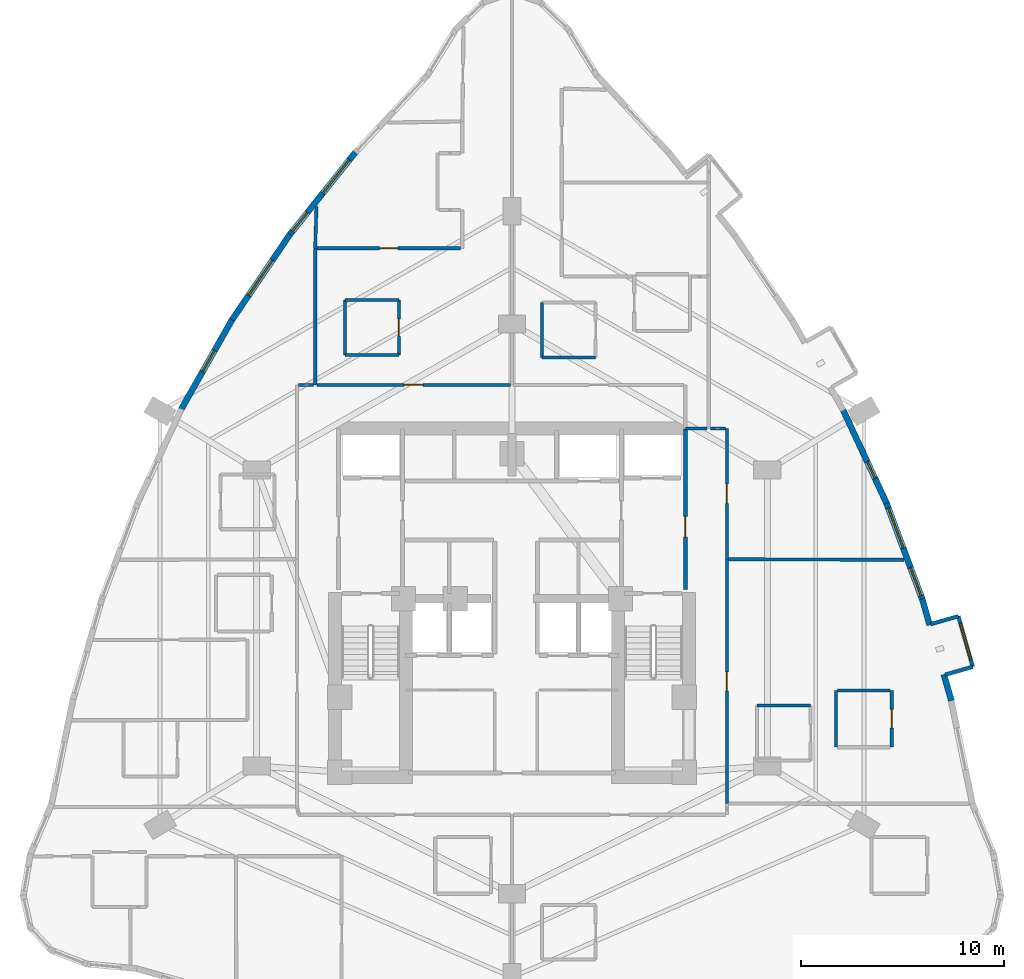
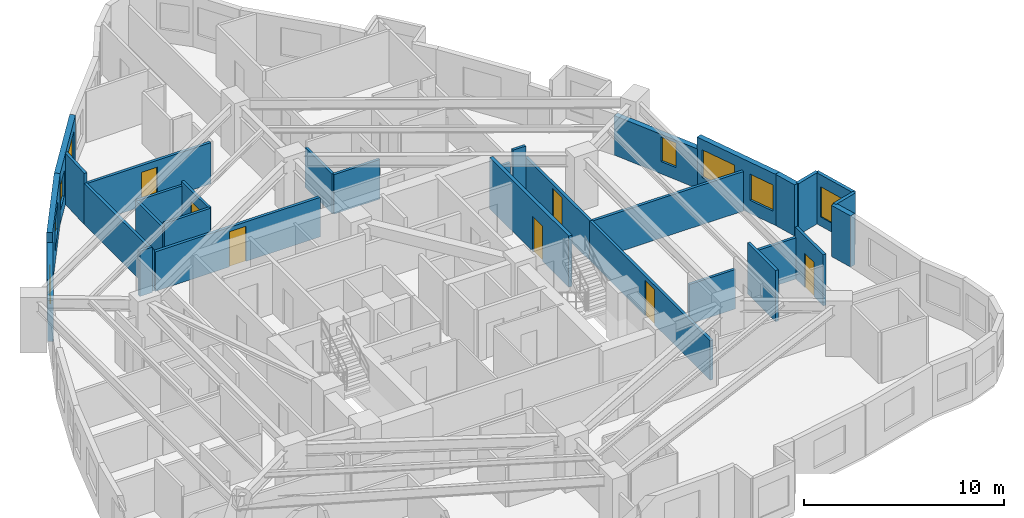
# One storey, part 11 of 14: 31 walls, 8 windows, 7 doors, 15 openings.
"""IFC4 building model written with IfcOpenShell, lengths in metres."""

from ifc_helpers import new_model, si_unit, direction, frame, frame_2d, origin, place, context, subcontext, project, spatial, rectangle, extrude, material, layer, layer_set, type_object, element, fill, save


model = new_model("IFC4")

# Units and contexts
model_context = context("Model", 3, precision=1e-05, world=origin(), true_north=direction((0.0, 1.0)))
body_context = subcontext(model_context, "Body", "Model", "MODEL_VIEW")
ifc_project = project(units=[si_unit("LENGTHUNIT", "METRE"), si_unit("AREAUNIT", "SQUARE_METRE"), si_unit("VOLUMEUNIT", "CUBIC_METRE"), si_unit("PLANEANGLEUNIT", "RADIAN"), si_unit("MASSUNIT", "GRAM", prefix="KILO")], contexts=[model_context])

# Site, building, storey
site_placement = place(None, origin())
site = spatial("IfcSite", under=ifc_project, at=site_placement, CompositionType="ELEMENT")
building_placement = place(site_placement, origin())
building = spatial("IfcBuilding", under=site, at=building_placement, Name="Miruveldt Soraemaru", CompositionType="ELEMENT")
storey_placement = place(building_placement, frame((0.0, 0.0, 80.199951171875)))
storey = spatial("IfcBuildingStorey", under=building, at=storey_placement, Name="L22", CompositionType="ELEMENT", Elevation=80.199951171875)

# Walls
ifc_material_1 = material(Name="White powder-coated aluminium EN AW-6060 T6", Category="aluminium")
ifc_layer_1 = layer(ifc_material_1, 0.18994140625, Name="White powder-coated aluminium EN AW-6060 T6", Category="aluminium")
ifc_layer_set_1 = layer_set([ifc_layer_1], Name="White powder-coated aluminium EN AW-6060 T6")
wall_type_1 = type_object("IfcWallType", Name="WALL-BAY-ALU190", PredefinedType="SOLIDWALL", material=ifc_layer_set_1)
for number, where, z_axis, x_axis, name in (
    (1, (65.36474609375, 40.301025390625, 0.0), (0.0, 0.0, 1.0), (0.961452801096, 0.274970018845, 0.0), "L22 Bay Window Side Cheek 4L"),
    (2, (66.02001953125, 43.192626953125, 0.0), (0.0, 0.0, 1.0), (-0.961452801096, -0.274970018845, 0.0), "L22 Bay Window Side Cheek 4R"),
):
    element("IfcWall", number, at=place(storey_placement, frame(where, z_axis=z_axis, x_axis=x_axis)), inside=storey, type_object=wall_type_1, Name=name, PredefinedType="SOLIDWALL", context=body_context, shape_type="SweptSolid", body=[
        extrude(rectangle(XDim=1.425048828125, YDim=0.18994140625, at=frame_2d((0.71240234375, 0.0))), origin(), (0.0, 0.0, 1.0), 3.125),
    ])

# Wall, opening, window
wall_1_placement = place(storey_placement, frame((66.73486328125, 40.69287109375, 0.0), z_axis=(0.0, 0.0, 1.0), x_axis=(-0.274944358644, 0.961460139397, 0.0)))
wall_1 = element("IfcWall", 3, at=wall_1_placement, inside=storey, type_object=wall_type_1, Name="L22 Bay Window Front Frame 4", PredefinedType="SOLIDWALL", context=body_context, shape_type="SweptSolid", body=[
    extrude(rectangle(XDim=2.599853515625, YDim=0.18994140625, at=frame_2d((1.2998046875, 0.0))), origin(), (0.0, 0.0, 1.0), 3.125),
])
opening_1_placement = place(wall_1_placement, frame((0.35009765625, 0.0, 0.550048828125)))
opening_1 = element("IfcOpeningElement", 4, at=opening_1_placement, cuts=wall_1, Name="Opening WN-6", PredefinedType="OPENING", context=body_context, shape_type="SweptSolid", body=[
    extrude(rectangle(XDim=1.89990234375, YDim=1.85009765625, at=frame_2d((0.949951171875, 0.925048828125))), frame((0.0, 0.10498046875, 0.0), z_axis=(0.0, -1.0, 0.0), x_axis=(1.0, 0.0, 0.0)), (0.0, 0.0, 1.0), 0.2099609375),
])
ifc_material_2 = material(Name="Triple low-e insulated glazing", Category="glass")
window_type_1 = type_object("IfcWindowType", Name="WIN-BAYW-1900x1850", PartitioningType="SINGLE_PANEL", PredefinedType="WINDOW", material=ifc_material_2)
window_1_placement = place(opening_1_placement, origin())
window_1 = element("IfcWindow", 5, at=window_1_placement, inside=storey, type_object=window_type_1, Name="L22 Projecting Bay Window 4", OverallHeight=1.85009765625, OverallWidth=1.89990234375, PartitioningType="SINGLE_PANEL", PredefinedType="WINDOW", context=body_context, shape_type="SweptSolid", body=[
    extrude(rectangle(XDim=1.89990234375, YDim=1.85009765625, at=frame_2d((0.949951171875, 0.925048828125))), frame((0.0, 0.030029296875, 0.0), z_axis=(0.0, -1.0, 0.0), x_axis=(1.0, 0.0, 0.0)), (0.0, 0.0, 1.0), 0.06005859375),
])
fill(opening_1, window_1)

# Wall, openings, windows
ifc_material_3 = material(Name="Precast concrete C45/55 (45 MPa)", Category="concrete")
ifc_layer_2 = layer(ifc_material_3, 0.300048828125, Name="Precast concrete C45/55 (45 MPa)", Category="concrete")
ifc_layer_set_2 = layer_set([ifc_layer_2], Name="Precast concrete C45/55 (45 MPa)")
wall_type_2 = type_object("IfcWallType", Name="WALL-EXT-PC300", PredefinedType="SOLIDWALL", material=ifc_layer_set_2)
wall_2_placement = place(storey_placement, frame((36.266845703125, 66.064697265625, 0.0), z_axis=(0.0, 0.0, 1.0), x_axis=(-0.623612732092, -0.781733433065, 0.0)))
wall_2 = element("IfcWall", 6, at=wall_2_placement, inside=storey, type_object=wall_type_2, Name="L22 Precast Concrete Facade Wall 8", PredefinedType="SOLIDWALL", context=body_context, shape_type="SweptSolid", body=[
    extrude(rectangle(XDim=5.2294921875, YDim=0.300048828125, at=frame_2d((2.61474609375, 0.0))), origin(), (0.0, 0.0, 1.0), 3.125),
])
opening_2_placement = place(wall_2_placement, frame((0.466064453125, 0.0, 0.800048828125)))
opening_2 = element("IfcOpeningElement", 7, at=opening_2_placement, cuts=wall_2, Name="Opening WN-1", PredefinedType="OPENING", context=body_context, shape_type="SweptSolid", body=[
    extrude(rectangle(XDim=2.10009765625, YDim=1.699951171875, at=frame_2d((1.050048828125, 0.85009765625))), frame((0.0, 0.16015625, 0.0), z_axis=(0.0, -1.0, 0.0), x_axis=(1.0, 0.0, 0.0)), (0.0, 0.0, 1.0), 0.320068359375),
])
opening_3_placement = place(wall_2_placement, frame((3.77001953125, 0.0, 0.780029296875)))
opening_3 = element("IfcOpeningElement", 8, at=opening_3_placement, cuts=wall_2, Name="Opening WN-4", PredefinedType="OPENING", context=body_context, shape_type="SweptSolid", body=[
    extrude(rectangle(XDim=1.199951171875, YDim=1.550048828125, at=frame_2d((0.60009765625, 0.77490234375))), frame((0.0, 0.16015625, 0.0), z_axis=(0.0, -1.0, 0.0), x_axis=(1.0, 0.0, 0.0)), (0.0, 0.0, 1.0), 0.320068359375),
])
window_type_2 = type_object("IfcWindowType", Name="WIN-PUNCH-1200x1550", PartitioningType="SINGLE_PANEL", PredefinedType="WINDOW", material=ifc_material_2)
window_2_placement = place(opening_3_placement, origin())
window_2 = element("IfcWindow", 9, at=window_2_placement, inside=storey, type_object=window_type_2, Name="L22 Punched Triple-Glazed Window 08.2", OverallHeight=1.550048828125, OverallWidth=1.199951171875, PartitioningType="SINGLE_PANEL", PredefinedType="WINDOW", context=body_context, shape_type="SweptSolid", body=[
    extrude(rectangle(XDim=1.199951171875, YDim=1.550048828125, at=frame_2d((0.60009765625, 0.77490234375))), frame((0.0, 0.030029296875, 0.0), z_axis=(0.0, -1.0, 0.0), x_axis=(1.0, 0.0, 0.0)), (0.0, 0.0, 1.0), 0.06005859375),
])
fill(opening_3, window_2)
window_type_3 = type_object("IfcWindowType", Name="WIN-PUNCH-2100x1700", PartitioningType="SINGLE_PANEL", PredefinedType="WINDOW", material=ifc_material_2)
window_3_placement = place(opening_2_placement, origin())
window_3 = element("IfcWindow", 10, at=window_3_placement, inside=storey, type_object=window_type_3, Name="L22 Punched Triple-Glazed Window 08.1", OverallHeight=1.699951171875, OverallWidth=2.10009765625, PartitioningType="SINGLE_PANEL", PredefinedType="WINDOW", context=body_context, shape_type="SweptSolid", body=[
    extrude(rectangle(XDim=2.10009765625, YDim=1.699951171875, at=frame_2d((1.050048828125, 0.85009765625))), frame((0.0, 0.030029296875, 0.0), z_axis=(0.0, -1.0, 0.0), x_axis=(1.0, 0.0, 0.0)), (0.0, 0.0, 1.0), 0.06005859375),
])
fill(opening_2, window_3)

# Wall, opening, window
wall_3_placement = place(storey_placement, frame((33.047119140625, 62.032958984375, 0.0), z_axis=(0.0, 0.0, 1.0), x_axis=(-0.560814703754, -0.827941343365, 0.0)))
wall_3 = element("IfcWall", 11, at=wall_3_placement, inside=storey, type_object=wall_type_2, Name="L22 Precast Concrete Facade Wall 9", PredefinedType="SOLIDWALL", context=body_context, shape_type="SweptSolid", body=[
    extrude(rectangle(XDim=5.165771484375, YDim=0.300048828125, at=frame_2d((2.5830078125, 0.0))), origin(), (0.0, 0.0, 1.0), 3.125),
])
opening_4_placement = place(wall_3_placement, frame((1.532958984375, 0.0, 0.800048828125)))
opening_4 = element("IfcOpeningElement", 12, at=opening_4_placement, cuts=wall_3, Name="Opening WN-1", PredefinedType="OPENING", context=body_context, shape_type="SweptSolid", body=[
    extrude(rectangle(XDim=2.10009765625, YDim=1.699951171875, at=frame_2d((1.050048828125, 0.85009765625))), frame((0.0, 0.16015625, 0.0), z_axis=(0.0, -1.0, 0.0), x_axis=(1.0, 0.0, 0.0)), (0.0, 0.0, 1.0), 0.320068359375),
])
window_4_placement = place(opening_4_placement, origin())
window_4 = element("IfcWindow", 13, at=window_4_placement, inside=storey, type_object=window_type_3, Name="L22 Punched Triple-Glazed Window 09.1", OverallHeight=1.699951171875, OverallWidth=2.10009765625, PartitioningType="SINGLE_PANEL", PredefinedType="WINDOW", context=body_context, shape_type="SweptSolid", body=[
    extrude(rectangle(XDim=2.10009765625, YDim=1.699951171875, at=frame_2d((1.050048828125, 0.85009765625))), frame((0.0, 0.030029296875, 0.0), z_axis=(0.0, -1.0, 0.0), x_axis=(1.0, 0.0, 0.0)), (0.0, 0.0, 1.0), 0.06005859375),
])
fill(opening_4, window_4)

wall_4_placement = place(storey_placement, frame((30.18701171875, 57.815673828125, 0.0), z_axis=(0.0, 0.0, 1.0), x_axis=(-0.493380922918, -0.869813350611, 0.0)))
wall_4 = element("IfcWall", 14, at=wall_4_placement, inside=storey, type_object=wall_type_2, Name="L22 Precast Concrete Facade Wall 10", PredefinedType="SOLIDWALL", context=body_context, shape_type="SweptSolid", body=[
    extrude(rectangle(XDim=5.13330078125, YDim=0.300048828125, at=frame_2d((2.566650390625, 0.0))), origin(), (0.0, 0.0, 1.0), 2.512939453125),
])
opening_5_placement = place(wall_4_placement, frame((1.7529296875, 0.0, 0.780029296875)))
opening_5 = element("IfcOpeningElement", 15, at=opening_5_placement, cuts=wall_4, Name="Opening WN-4", PredefinedType="OPENING", context=body_context, shape_type="SweptSolid", body=[
    extrude(rectangle(XDim=1.199951171875, YDim=1.550048828125, at=frame_2d((0.60009765625, 0.77490234375))), frame((0.0, 0.16015625, 0.0), z_axis=(0.0, -1.0, 0.0), x_axis=(1.0, 0.0, 0.0)), (0.0, 0.0, 1.0), 0.320068359375),
])
window_5_placement = place(opening_5_placement, origin())
window_5 = element("IfcWindow", 16, at=window_5_placement, inside=storey, type_object=window_type_2, Name="L22 Punched Triple-Glazed Window 10.1", OverallHeight=1.550048828125, OverallWidth=1.199951171875, PartitioningType="SINGLE_PANEL", PredefinedType="WINDOW", context=body_context, shape_type="SweptSolid", body=[
    extrude(rectangle(XDim=1.199951171875, YDim=1.550048828125, at=frame_2d((0.60009765625, 0.77490234375))), frame((0.0, 0.030029296875, 0.0), z_axis=(0.0, -1.0, 0.0), x_axis=(1.0, 0.0, 0.0)), (0.0, 0.0, 1.0), 0.06005859375),
])
fill(opening_5, window_5)

# Walls
for number, where, z_axis, x_axis, name in (
    (17, (65.67333984375, 39.021728515625, 0.0), (0.0, 0.0, 1.0), (-0.27486499374, 0.961482831472, 0.0), "L22 Precast Pier Wall 36A"),
    (18, (64.605224609375, 42.7568359375, 0.0), (0.0, 0.0, 1.0), (-0.27486499374, 0.961482831472, 0.0), "L22 Precast Pier Wall 36B"),
):
    element("IfcWall", number, at=place(storey_placement, frame(where, z_axis=z_axis, x_axis=x_axis)), inside=storey, type_object=wall_type_2, Name=name, PredefinedType="SOLIDWALL", context=body_context, shape_type="SweptSolid", body=[
        extrude(rectangle(XDim=1.3447265625, YDim=0.300048828125, at=frame_2d((0.67236328125, 0.0))), origin(), (0.0, 0.0, 1.0), 3.125),
    ])

# Wall, openings, windows
wall_5_placement = place(storey_placement, frame((64.25732421875, 43.9833984375, 0.0), z_axis=(0.0, 0.0, 1.0), x_axis=(-0.349030087006, 0.937111518638, 0.0)))
wall_5 = element("IfcWall", 19, at=wall_5_placement, inside=storey, type_object=wall_type_2, Name="L22 Precast Concrete Facade Wall 37", PredefinedType="SOLIDWALL", context=body_context, shape_type="SweptSolid", body=[
    extrude(rectangle(XDim=5.165771484375, YDim=0.300048828125, at=frame_2d((2.5830078125, 0.0))), origin(), (0.0, 0.0, 1.0), 3.125),
])
opening_6_placement = place(wall_5_placement, frame((0.220947265625, 0.0, 0.800048828125)))
opening_6 = element("IfcOpeningElement", 20, at=opening_6_placement, cuts=wall_5, Name="Opening WN-3", PredefinedType="OPENING", context=body_context, shape_type="SweptSolid", body=[
    extrude(rectangle(XDim=1.5, YDim=1.60009765625, at=frame_2d((0.75, 0.800048828125))), frame((0.0, 0.16015625, 0.0), z_axis=(0.0, -1.0, 0.0), x_axis=(1.0, 0.0, 0.0)), (0.0, 0.0, 1.0), 0.320068359375),
])
opening_7_placement = place(wall_5_placement, frame((2.743896484375, 0.0, 0.800048828125)))
opening_7 = element("IfcOpeningElement", 21, at=opening_7_placement, cuts=wall_5, Name="Opening WN-1", PredefinedType="OPENING", context=body_context, shape_type="SweptSolid", body=[
    extrude(rectangle(XDim=2.10009765625, YDim=1.699951171875, at=frame_2d((1.050048828125, 0.85009765625))), frame((0.0, 0.16015625, 0.0), z_axis=(0.0, -1.0, 0.0), x_axis=(1.0, 0.0, 0.0)), (0.0, 0.0, 1.0), 0.320068359375),
])
window_type_4 = type_object("IfcWindowType", Name="WIN-PUNCH-1500x1600", PartitioningType="SINGLE_PANEL", PredefinedType="WINDOW", material=ifc_material_2)
window_6_placement = place(opening_6_placement, origin())
window_6 = element("IfcWindow", 22, at=window_6_placement, inside=storey, type_object=window_type_4, Name="L22 Punched Triple-Glazed Window 37.1", OverallHeight=1.60009765625, OverallWidth=1.5, PartitioningType="SINGLE_PANEL", PredefinedType="WINDOW", context=body_context, shape_type="SweptSolid", body=[
    extrude(rectangle(XDim=1.5, YDim=1.60009765625, at=frame_2d((0.75, 0.800048828125))), frame((0.0, 0.030029296875, 0.0), z_axis=(0.0, -1.0, 0.0), x_axis=(1.0, 0.0, 0.0)), (0.0, 0.0, 1.0), 0.06005859375),
])
fill(opening_6, window_6)
window_7_placement = place(opening_7_placement, origin())
window_7 = element("IfcWindow", 23, at=window_7_placement, inside=storey, type_object=window_type_3, Name="L22 Punched Triple-Glazed Window 37.2", OverallHeight=1.699951171875, OverallWidth=2.10009765625, PartitioningType="SINGLE_PANEL", PredefinedType="WINDOW", context=body_context, shape_type="SweptSolid", body=[
    extrude(rectangle(XDim=2.10009765625, YDim=1.699951171875, at=frame_2d((1.050048828125, 0.85009765625))), frame((0.0, 0.030029296875, 0.0), z_axis=(0.0, -1.0, 0.0), x_axis=(1.0, 0.0, 0.0)), (0.0, 0.0, 1.0), 0.06005859375),
])
fill(opening_7, window_7)

# Wall, opening, window
wall_6_placement = place(storey_placement, frame((62.4814453125, 48.759521484375, 0.0), z_axis=(0.0, 0.0, 1.0), x_axis=(-0.422330811378, 0.906441771853, 0.0)))
wall_6 = element("IfcWall", 24, at=wall_6_placement, inside=storey, type_object=wall_type_2, Name="L22 Precast Concrete Facade Wall 38", PredefinedType="SOLIDWALL", context=body_context, shape_type="SweptSolid", body=[
    extrude(rectangle(XDim=5.13330078125, YDim=0.300048828125, at=frame_2d((2.566650390625, 0.0))), origin(), (0.0, 0.0, 1.0), 2.4130859375),
])
opening_8_placement = place(wall_6_placement, frame((1.361083984375, 0.0, 0.7529296875)))
opening_8 = element("IfcOpeningElement", 25, at=opening_8_placement, cuts=wall_6, Name="Opening WN-7", PredefinedType="OPENING", context=body_context, shape_type="SweptSolid", body=[
    extrude(rectangle(XDim=0.89990234375, YDim=1.5, at=frame_2d((0.449951171875, 0.75))), frame((0.0, 0.16015625, 0.0), z_axis=(0.0, -1.0, 0.0), x_axis=(1.0, 0.0, 0.0)), (0.0, 0.0, 1.0), 0.320068359375),
])
window_type_5 = type_object("IfcWindowType", Name="WIN-PUNCH-900x1500", PartitioningType="SINGLE_PANEL", PredefinedType="WINDOW", material=ifc_material_2)
window_8_placement = place(opening_8_placement, origin())
window_8 = element("IfcWindow", 26, at=window_8_placement, inside=storey, type_object=window_type_5, Name="L22 Punched Triple-Glazed Window 38.1", OverallHeight=1.5, OverallWidth=0.89990234375, PartitioningType="SINGLE_PANEL", PredefinedType="WINDOW", context=body_context, shape_type="SweptSolid", body=[
    extrude(rectangle(XDim=0.89990234375, YDim=1.5, at=frame_2d((0.449951171875, 0.75))), frame((0.0, 0.030029296875, 0.0), z_axis=(0.0, -1.0, 0.0), x_axis=(1.0, 0.0, 0.0)), (0.0, 0.0, 1.0), 0.06005859375),
])
fill(opening_8, window_8)

# Wall, opening, door
ifc_material_4 = material(Name="Gypsum plasterboard lining", Category="gypsum")
ifc_layer_3 = layer(ifc_material_4, 0.14990234375, Name="Gypsum plasterboard lining", Category="gypsum")
ifc_layer_set_3 = layer_set([ifc_layer_3], Name="Gypsum plasterboard lining")
wall_type_3 = type_object("IfcWallType", Name="WALL-INT-PLUMB", PredefinedType="PLUMBINGWALL", material=ifc_layer_set_3)
wall_7_placement = place(storey_placement, frame((38.419921875, 56.080078125, 0.0), z_axis=(0.0, 0.0, 1.0), x_axis=(0.0, 1.0, 0.0)))
wall_7 = element("IfcWall", 27, at=wall_7_placement, inside=storey, type_object=wall_type_3, Name="L22 Partition Wall 21", PredefinedType="PLUMBINGWALL", context=body_context, shape_type="SweptSolid", body=[
    extrude(rectangle(XDim=2.699951171875, YDim=0.14990234375, at=frame_2d((1.35009765625, 0.0))), origin(), (0.0, 0.0, 1.0), 2.762939453125),
])
opening_9_placement = place(wall_7_placement, frame((0.909912109375, 0.0, 0.0)))
opening_9 = element("IfcOpeningElement", 28, at=opening_9_placement, cuts=wall_7, Name="Opening FD3", PredefinedType="OPENING", context=body_context, shape_type="SweptSolid", body=[
    extrude(rectangle(XDim=0.85009765625, YDim=2.10009765625, at=frame_2d((0.425048828125, 1.050048828125))), frame((0.0, 0.0849609375, 0.0), z_axis=(0.0, -1.0, 0.0), x_axis=(1.0, 0.0, 0.0)), (0.0, 0.0, 1.0), 0.169921875),
])
ifc_material_5 = material(Name="Anodised aluminium EN AW-6063 T6", Category="aluminium")
door_type_1 = type_object("IfcDoorType", Name="DOOR-FD3-850", OperationType="NOTDEFINED", PredefinedType="DOOR", material=ifc_material_5)
door_1_placement = place(opening_9_placement, origin())
door_1 = element("IfcDoor", 29, at=door_1_placement, inside=storey, type_object=door_type_1, Name="L22 Unit 2202 BTH Door", OperationType="SINGLE_SWING_LEFT", OverallHeight=2.10009765625, OverallWidth=0.85009765625, PredefinedType="DOOR", context=body_context, shape_type="SweptSolid", body=[
    extrude(rectangle(XDim=0.85009765625, YDim=2.10009765625, at=frame_2d((0.425048828125, 1.050048828125))), frame((0.0, 0.02490234375, 0.0), z_axis=(0.0, -1.0, 0.0), x_axis=(1.0, 0.0, 0.0)), (0.0, 0.0, 1.0), 0.050048828125),
])
fill(opening_9, door_1)

# Walls
wall_8_placement = place(storey_placement, frame((35.77001953125, 58.780029296875, 0.0), z_axis=(0.0, 0.0, 1.0), x_axis=(0.0, -1.0, 0.0)))
element("IfcWall", 30, at=wall_8_placement, inside=storey, type_object=wall_type_3, Name="L22 Partition Wall 23", PredefinedType="PLUMBINGWALL", context=body_context, shape_type="SweptSolid", body=[
    extrude(rectangle(XDim=2.699951171875, YDim=0.14990234375, at=frame_2d((1.35009765625, 0.0))), origin(), (0.0, 0.0, 1.0), 2.512939453125),
])
wall_9_placement = place(storey_placement, frame((45.47998046875, 58.656982421875, 0.0), z_axis=(0.0, 0.0, 1.0), x_axis=(0.0, -1.0, 0.0)))
element("IfcWall", 31, at=wall_9_placement, inside=storey, type_object=wall_type_3, Name="L22 Partition Wall 36", PredefinedType="PLUMBINGWALL", context=body_context, shape_type="SweptSolid", body=[
    extrude(rectangle(XDim=2.699951171875, YDim=0.14990234375, at=frame_2d((1.35009765625, 0.0))), origin(), (0.0, 0.0, 1.0), 2.4130859375),
])
wall_10_placement = place(storey_placement, frame((45.47998046875, 55.95703125, 0.0), z_axis=(0.0, 0.0, 1.0), x_axis=(1.0, 0.0, 0.0)))
element("IfcWall", 32, at=wall_10_placement, inside=storey, type_object=wall_type_3, Name="L22 Partition Wall 37", PredefinedType="PLUMBINGWALL", context=body_context, shape_type="SweptSolid", body=[
    extrude(rectangle(XDim=2.64990234375, YDim=0.14990234375, at=frame_2d((1.324951171875, 0.0))), origin(), (0.0, 0.0, 1.0), 2.4130859375),
])
wall_11_placement = place(storey_placement, frame((38.419921875, 58.780029296875, 0.0), z_axis=(0.0, 0.0, 1.0), x_axis=(-1.0, 0.0, 0.0)))
element("IfcWall", 33, at=wall_11_placement, inside=storey, type_object=wall_type_3, Name="L22 Partition Wall 22", PredefinedType="PLUMBINGWALL", context=body_context, shape_type="SweptSolid", body=[
    extrude(rectangle(XDim=2.64990234375, YDim=0.14990234375, at=frame_2d((1.324951171875, 0.0))), origin(), (0.0, 0.0, 1.0), 2.512939453125),
])
wall_12_placement = place(storey_placement, frame((35.77001953125, 56.080078125, 0.0), z_axis=(0.0, 0.0, 1.0), x_axis=(1.0, 0.0, 0.0)))
element("IfcWall", 34, at=wall_12_placement, inside=storey, type_object=wall_type_3, Name="L22 Partition Wall 24", PredefinedType="PLUMBINGWALL", context=body_context, shape_type="SweptSolid", body=[
    extrude(rectangle(XDim=2.64990234375, YDim=0.14990234375, at=frame_2d((1.324951171875, 0.0))), origin(), (0.0, 0.0, 1.0), 2.762939453125),
])
wall_13_placement = place(storey_placement, frame((58.72998046875, 38.780029296875, 0.0), z_axis=(0.0, 0.0, 1.0), x_axis=(-1.0, 0.0, 0.0)))
element("IfcWall", 35, at=wall_13_placement, inside=storey, type_object=wall_type_3, Name="L22 Partition Wall 87", PredefinedType="PLUMBINGWALL", context=body_context, shape_type="SweptSolid", body=[
    extrude(rectangle(XDim=2.64990234375, YDim=0.14990234375, at=frame_2d((1.324951171875, 0.0))), origin(), (0.0, 0.0, 1.0), 2.4130859375),
])

# Wall, opening, door
ifc_material_6 = material(Name="Concrete C40/50 (40 MPa)", Category="concrete")
ifc_layer_4 = layer(ifc_material_6, 0.159912109375, Name="Concrete C40/50 (40 MPa)", Category="concrete")
ifc_layer_set_4 = layer_set([ifc_layer_4], Name="Concrete C40/50 (40 MPa)")
wall_type_4 = type_object("IfcWallType", Name="WALL-INT-RC160", PredefinedType="SOLIDWALL", material=ifc_layer_set_4)
wall_14_placement = place(storey_placement, frame((54.60009765625, 33.949951171875, 0.0), z_axis=(0.0, 0.0, 1.0), x_axis=(0.0, 1.0, 0.0)))
wall_14 = element("IfcWall", 36, at=wall_14_placement, inside=storey, type_object=wall_type_4, Name="L22 Partition Wall 13", PredefinedType="SOLIDWALL", context=body_context, shape_type="SweptSolid", body=[
    extrude(rectangle(XDim=12.050048828125, YDim=0.159912109375, at=frame_2d((6.02490234375, 0.0))), origin(), (0.0, 0.0, 1.0), 2.4130859375),
])
opening_10_placement = place(wall_14_placement, frame((5.550048828125, 0.0, 0.0)))
opening_10 = element("IfcOpeningElement", 37, at=opening_10_placement, cuts=wall_14, Name="Opening FD2", PredefinedType="OPENING", context=body_context, shape_type="SweptSolid", body=[
    extrude(rectangle(XDim=0.949951171875, YDim=2.14990234375, at=frame_2d((0.47509765625, 1.074951171875))), frame((0.0, 0.08984375, 0.0), z_axis=(0.0, -1.0, 0.0), x_axis=(1.0, 0.0, 0.0)), (0.0, 0.0, 1.0), 0.179931640625),
])
door_type_2 = type_object("IfcDoorType", Name="DOOR-FD2-950", OperationType="NOTDEFINED", PredefinedType="DOOR", material=ifc_material_5)
door_2_placement = place(opening_10_placement, origin())
door_2 = element("IfcDoor", 38, at=door_2_placement, inside=storey, type_object=door_type_2, Name="L22 Unit CL08 Entrance Fire Door", OperationType="SINGLE_SWING_LEFT", OverallHeight=2.14990234375, OverallWidth=0.949951171875, PredefinedType="DOOR", context=body_context, shape_type="SweptSolid", body=[
    extrude(rectangle(XDim=0.949951171875, YDim=2.14990234375, at=frame_2d((0.47509765625, 1.074951171875))), frame((0.0, 0.02490234375, 0.0), z_axis=(0.0, -1.0, 0.0), x_axis=(1.0, 0.0, 0.0)), (0.0, 0.0, 1.0), 0.050048828125),
])
fill(opening_10, door_2)

wall_15_placement = place(storey_placement, frame((43.9169921875, 54.60009765625, 0.0), z_axis=(0.0, 0.0, 1.0), x_axis=(-1.0, 0.0, 0.0)))
wall_15 = element("IfcWall", 39, at=wall_15_placement, inside=storey, type_object=wall_type_4, Name="L22 Partition Wall 3", PredefinedType="SOLIDWALL", context=body_context, shape_type="SweptSolid", body=[
    extrude(rectangle(XDim=9.5439453125, YDim=0.159912109375, at=frame_2d((4.77197265625, 0.0))), origin(), (0.0, 0.0, 1.0), 2.4130859375),
])
opening_11_placement = place(wall_15_placement, frame((4.297119140625, 0.0, 0.0)))
opening_11 = element("IfcOpeningElement", 40, at=opening_11_placement, cuts=wall_15, Name="Opening FD2", PredefinedType="OPENING", context=body_context, shape_type="SweptSolid", body=[
    extrude(rectangle(XDim=0.949951171875, YDim=2.14990234375, at=frame_2d((0.47509765625, 1.074951171875))), frame((0.0, 0.08984375, 0.0), z_axis=(0.0, -1.0, 0.0), x_axis=(1.0, 0.0, 0.0)), (0.0, 0.0, 1.0), 0.179931640625),
])
door_3_placement = place(opening_11_placement, origin())
door_3 = element("IfcDoor", 41, at=door_3_placement, inside=storey, type_object=door_type_2, Name="L22 Unit 2202 Entrance Fire Door", OperationType="SINGLE_SWING_RIGHT", OverallHeight=2.14990234375, OverallWidth=0.949951171875, PredefinedType="DOOR", context=body_context, shape_type="SweptSolid", body=[
    extrude(rectangle(XDim=0.949951171875, YDim=2.14990234375, at=frame_2d((0.47509765625, 1.074951171875))), frame((0.0, 0.02490234375, 0.0), z_axis=(0.0, -1.0, 0.0), x_axis=(1.0, 0.0, 0.0)), (0.0, 0.0, 1.0), 0.050048828125),
])
fill(opening_11, door_3)

wall_16_placement = place(storey_placement, frame((41.469970703125, 61.339111328125, 0.0), z_axis=(0.0, 0.0, 1.0), x_axis=(-1.0, 0.0, 0.0)))
wall_16 = element("IfcWall", 42, at=wall_16_placement, inside=storey, type_object=wall_type_4, Name="L22 Partition Wall 30", PredefinedType="SOLIDWALL", context=body_context, shape_type="SweptSolid", body=[
    extrude(rectangle(XDim=7.099853515625, YDim=0.159912109375, at=frame_2d((3.5498046875, 0.0))), origin(), (0.0, 0.0, 1.0), 2.512939453125),
])
opening_12_placement = place(wall_16_placement, frame((3.090087890625, 0.0, 0.0)))
opening_12 = element("IfcOpeningElement", 43, at=opening_12_placement, cuts=wall_16, Name="Opening D3A", PredefinedType="OPENING", context=body_context, shape_type="SweptSolid", body=[
    extrude(rectangle(XDim=0.919921875, YDim=2.10009765625, at=frame_2d((0.4599609375, 1.050048828125))), frame((0.0, 0.08984375, 0.0), z_axis=(0.0, -1.0, 0.0), x_axis=(1.0, 0.0, 0.0)), (0.0, 0.0, 1.0), 0.179931640625),
])
door_type_3 = type_object("IfcDoorType", Name="DOOR-INT-920", OperationType="NOTDEFINED", PredefinedType="DOOR", material=ifc_material_5)
door_4_placement = place(opening_12_placement, origin())
door_4 = element("IfcDoor", 44, at=door_4_placement, inside=storey, type_object=door_type_3, Name="L22 Unit 2202 BD1 Door", OperationType="SINGLE_SWING_RIGHT", OverallHeight=2.10009765625, OverallWidth=0.919921875, PredefinedType="DOOR", context=body_context, shape_type="SweptSolid", body=[
    extrude(rectangle(XDim=0.919921875, YDim=2.10009765625, at=frame_2d((0.4599609375, 1.050048828125))), frame((0.0, 0.02490234375, 0.0), z_axis=(0.0, -1.0, 0.0), x_axis=(1.0, 0.0, 0.0)), (0.0, 0.0, 1.0), 0.050048828125),
])
fill(opening_12, door_4)

wall_17_placement = place(storey_placement, frame((54.60009765625, 46.0, 0.0), z_axis=(0.0, 0.0, 1.0), x_axis=(0.0, 1.0, 0.0)))
wall_17 = element("IfcWall", 45, at=wall_17_placement, inside=storey, type_object=wall_type_4, Name="L22 Partition Wall 7", PredefinedType="SOLIDWALL", context=body_context, shape_type="SweptSolid", body=[
    extrude(rectangle(XDim=6.449951171875, YDim=0.159912109375, at=frame_2d((3.22509765625, 0.0))), origin(), (0.0, 0.0, 1.0), 2.4130859375),
])
opening_13_placement = place(wall_17_placement, frame((2.75, 0.0, 0.0)))
opening_13 = element("IfcOpeningElement", 46, at=opening_13_placement, cuts=wall_17, Name="Opening FD2", PredefinedType="OPENING", context=body_context, shape_type="SweptSolid", body=[
    extrude(rectangle(XDim=0.949951171875, YDim=2.14990234375, at=frame_2d((0.47509765625, 1.074951171875))), frame((0.0, 0.08984375, 0.0), z_axis=(0.0, -1.0, 0.0), x_axis=(1.0, 0.0, 0.0)), (0.0, 0.0, 1.0), 0.179931640625),
])
door_5_placement = place(opening_13_placement, origin())
door_5 = element("IfcDoor", 47, at=door_5_placement, inside=storey, type_object=door_type_2, Name="L22 Unit CL04 Entrance Fire Door", OperationType="SINGLE_SWING_LEFT", OverallHeight=2.14990234375, OverallWidth=0.949951171875, PredefinedType="DOOR", context=body_context, shape_type="SweptSolid", body=[
    extrude(rectangle(XDim=0.949951171875, YDim=2.14990234375, at=frame_2d((0.47509765625, 1.074951171875))), frame((0.0, 0.02490234375, 0.0), z_axis=(0.0, -1.0, 0.0), x_axis=(1.0, 0.0, 0.0)), (0.0, 0.0, 1.0), 0.050048828125),
])
fill(opening_13, door_5)

wall_18_placement = place(storey_placement, frame((62.72998046875, 36.72998046875, 0.0), z_axis=(0.0, 0.0, 1.0), x_axis=(0.0, 1.0, 0.0)))
wall_18 = element("IfcWall", 48, at=wall_18_placement, inside=storey, type_object=wall_type_4, Name="L22 Partition Wall 90", PredefinedType="SOLIDWALL", context=body_context, shape_type="SweptSolid", body=[
    extrude(rectangle(XDim=2.800048828125, YDim=0.159912109375, at=frame_2d((1.39990234375, 0.0))), origin(), (0.0, 0.0, 1.0), 3.125),
])
opening_14_placement = place(wall_18_placement, frame((0.93994140625, 0.0, 0.0)))
opening_14 = element("IfcOpeningElement", 49, at=opening_14_placement, cuts=wall_18, Name="Opening D3A", PredefinedType="OPENING", context=body_context, shape_type="SweptSolid", body=[
    extrude(rectangle(XDim=0.919921875, YDim=2.10009765625, at=frame_2d((0.4599609375, 1.050048828125))), frame((0.0, 0.08984375, 0.0), z_axis=(0.0, -1.0, 0.0), x_axis=(1.0, 0.0, 0.0)), (0.0, 0.0, 1.0), 0.179931640625),
])
door_6_placement = place(opening_14_placement, origin())
door_6 = element("IfcDoor", 50, at=door_6_placement, inside=storey, type_object=door_type_3, Name="L22 Unit CL08 KIT Door", OperationType="SINGLE_SWING_LEFT", OverallHeight=2.10009765625, OverallWidth=0.919921875, PredefinedType="DOOR", context=body_context, shape_type="SweptSolid", body=[
    extrude(rectangle(XDim=0.919921875, YDim=2.10009765625, at=frame_2d((0.4599609375, 1.050048828125))), frame((0.0, 0.02490234375, 0.0), z_axis=(0.0, -1.0, 0.0), x_axis=(1.0, 0.0, 0.0)), (0.0, 0.0, 1.0), 0.050048828125),
])
fill(opening_14, door_6)

# Walls
wall_19_placement = place(storey_placement, frame((54.679931640625, 46.0, 0.0), z_axis=(0.0, 0.0, 1.0), x_axis=(0.99999398955, -0.00346711187, 0.0)))
element("IfcWall", 51, at=wall_19_placement, inside=storey, type_object=wall_type_4, Name="L22 Partition Wall 50", PredefinedType="SOLIDWALL", context=body_context, shape_type="SweptSolid", body=[
    extrude(rectangle(XDim=8.6611328125, YDim=0.159912109375, at=frame_2d((4.33056640625, 0.0))), origin(), (0.0, 0.0, 1.0), 2.4130859375),
])
wall_20_placement = place(storey_placement, frame((34.2900390625, 54.60302734375, 0.0), z_axis=(0.0, 0.0, 1.0), x_axis=(0.0, 1.0, 0.0)))
element("IfcWall", 52, at=wall_20_placement, inside=storey, type_object=wall_type_4, Name="L22 Partition Wall 18", PredefinedType="SOLIDWALL", context=body_context, shape_type="SweptSolid", body=[
    extrude(rectangle(XDim=6.73291015625, YDim=0.159912109375, at=frame_2d((3.366455078125, 0.0))), origin(), (0.0, 0.0, 1.0), 2.512939453125),
])
wall_21_placement = place(storey_placement, frame((59.97998046875, 39.530029296875, 0.0), z_axis=(0.0, 0.0, 1.0), x_axis=(0.0, -1.0, 0.0)))
element("IfcWall", 53, at=wall_21_placement, inside=storey, type_object=wall_type_4, Name="L22 Partition Wall 92", PredefinedType="SOLIDWALL", context=body_context, shape_type="SweptSolid", body=[
    extrude(rectangle(XDim=2.800048828125, YDim=0.159912109375, at=frame_2d((1.39990234375, 0.0))), origin(), (0.0, 0.0, 1.0), 3.125),
])
wall_22_placement = place(storey_placement, frame((62.64990234375, 39.530029296875, 0.0), z_axis=(0.0, 0.0, 1.0), x_axis=(-1.0, 0.0, 0.0)))
element("IfcWall", 54, at=wall_22_placement, inside=storey, type_object=wall_type_4, Name="L22 Partition Wall 91", PredefinedType="SOLIDWALL", context=body_context, shape_type="SweptSolid", body=[
    extrude(rectangle(XDim=2.58984375, YDim=0.159912109375, at=frame_2d((1.294921875, 0.0))), origin(), (0.0, 0.0, 1.0), 2.512939453125),
])
wall_23_placement = place(storey_placement, frame((34.2900390625, 61.339111328125, 0.0), z_axis=(0.0, 0.0, 1.0), x_axis=(0.031891120797, 0.999491348844, 0.0)))
element("IfcWall", 55, at=wall_23_placement, inside=storey, type_object=wall_type_4, Name="L22 Partition Wall 19", PredefinedType="SOLIDWALL", context=body_context, shape_type="SweptSolid", body=[
    extrude(rectangle(XDim=2.06689453125, YDim=0.159912109375, at=frame_2d((1.033447265625, 0.0))), origin(), (0.0, 0.0, 1.0), 3.125),
])
wall_24_placement = place(storey_placement, frame((53.6298828125, 52.449951171875, 0.0), z_axis=(0.0, 0.0, 1.0), x_axis=(-1.0, 0.0, 0.0)))
element("IfcWall", 56, at=wall_24_placement, inside=storey, type_object=wall_type_4, Name="L22 Partition Wall 4", PredefinedType="SOLIDWALL", context=body_context, shape_type="SweptSolid", body=[
    extrude(rectangle(XDim=1.079833984375, YDim=0.159912109375, at=frame_2d((0.5400390625, 0.0))), origin(), (0.0, 0.0, 1.0), 2.4130859375),
])
wall_25_placement = place(storey_placement, frame((34.2099609375, 54.60009765625, 0.0), z_axis=(0.0, 0.0, 1.0), x_axis=(-1.0, 0.0, 0.0)))
element("IfcWall", 57, at=wall_25_placement, inside=storey, type_object=wall_type_4, Name="L22 Partition Wall 1", PredefinedType="SOLIDWALL", context=body_context, shape_type="SweptSolid", body=[
    extrude(rectangle(XDim=0.72998046875, YDim=0.159912109375, at=frame_2d((0.364990234375, 0.0))), origin(), (0.0, 0.0, 1.0), 2.762939453125),
])
wall_26_placement = place(storey_placement, frame((54.52001953125, 52.449951171875, 0.0), z_axis=(0.0, 0.0, 1.0), x_axis=(-1.0, 0.0, 0.0)))
element("IfcWall", 58, at=wall_26_placement, inside=storey, type_object=wall_type_4, Name="L22 Partition Wall 8", PredefinedType="SOLIDWALL", context=body_context, shape_type="SweptSolid", body=[
    extrude(rectangle(XDim=0.72998046875, YDim=0.159912109375, at=frame_2d((0.364990234375, 0.0))), origin(), (0.0, 0.0, 1.0), 3.125),
])

# Wall, opening, door
ifc_layer_5 = layer(ifc_material_6, 0.199951171875, Name="Concrete C40/50 (40 MPa)", Category="concrete")
ifc_layer_set_5 = layer_set([ifc_layer_5], Name="Concrete C40/50 (40 MPa)")
wall_type_5 = type_object("IfcWallType", Name="WALL-INT-RC200", PredefinedType="SOLIDWALL", material=ifc_layer_set_5)
wall_27_placement = place(storey_placement, frame((52.550048828125, 44.5, 0.0), z_axis=(0.0, 0.0, 1.0), x_axis=(0.0, 1.0, 0.0)))
wall_27 = element("IfcWall", 59, at=wall_27_placement, inside=storey, type_object=wall_type_5, Name="L22 Core Compartment Wall FFE-OUT", PredefinedType="SOLIDWALL", context=body_context, shape_type="SweptSolid", body=[
    extrude(rectangle(XDim=7.919921875, YDim=0.199951171875, at=frame_2d((3.9599609375, 0.0))), origin(), (0.0, 0.0, 1.0), 3.125),
])
opening_15_placement = place(wall_27_placement, frame((2.60009765625, 0.0, 0.0)))
opening_15 = element("IfcOpeningElement", 60, at=opening_15_placement, cuts=wall_27, Name="Opening FD1", PredefinedType="OPENING", context=body_context, shape_type="SweptSolid", body=[
    extrude(rectangle(XDim=1.0, YDim=2.14990234375, at=frame_2d((0.5, 1.074951171875))), frame((0.0, 0.10986328125, 0.0), z_axis=(0.0, -1.0, 0.0), x_axis=(1.0, 0.0, 0.0)), (0.0, 0.0, 1.0), 0.219970703125),
])
door_type_4 = type_object("IfcDoorType", Name="DOOR-FD1-1000", OperationType="NOTDEFINED", PredefinedType="DOOR", material=ifc_material_5)
door_7_placement = place(opening_15_placement, frame((1.0, 0.0, 0.0), z_axis=(0.0, 0.0, 1.0), x_axis=(-1.0, 0.0, 0.0)))
door_7 = element("IfcDoor", 61, at=door_7_placement, inside=storey, type_object=door_type_4, Name="L22 East Firefighting Lobby Exit Door", OperationType="SINGLE_SWING_RIGHT", OverallHeight=2.14990234375, OverallWidth=1.0, PredefinedType="DOOR", context=body_context, shape_type="SweptSolid", body=[
    extrude(rectangle(XDim=1.0, YDim=2.14990234375, at=frame_2d((0.5, 1.074951171875))), frame((0.0, 0.02490234375, 0.0), z_axis=(0.0, -1.0, 0.0), x_axis=(1.0, 0.0, 0.0)), (0.0, 0.0, 1.0), 0.050048828125),
])
fill(opening_15, door_7)

save(model, "model.ifc")
